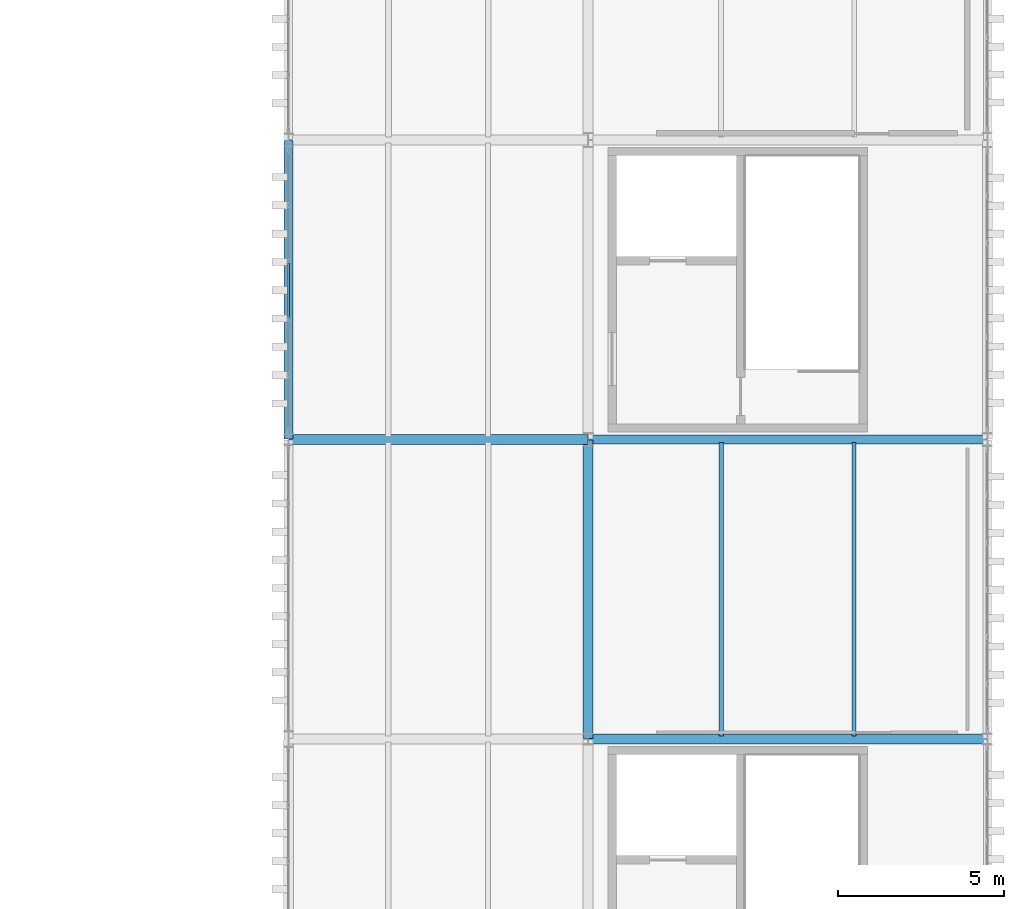
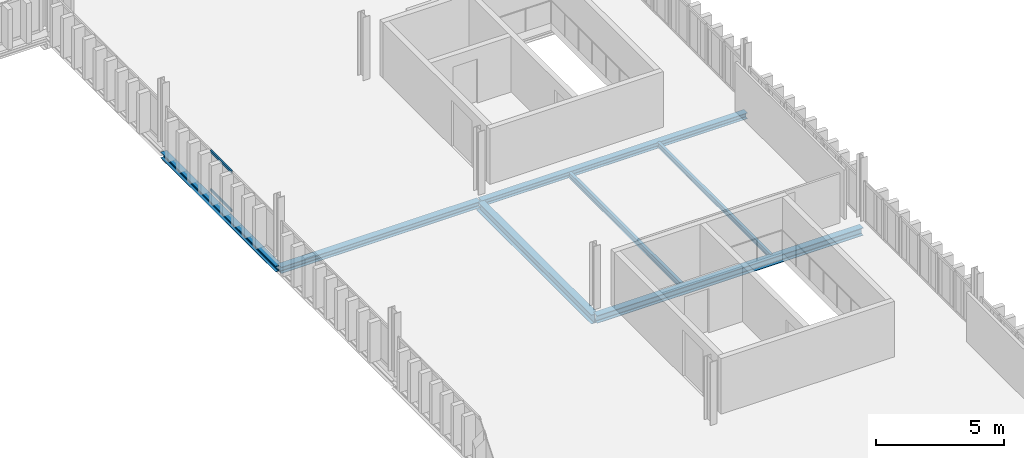
# One storey, part 32 of 58: 7 beams, 2 members, 1 element without a shape of its own.
"""IFC4 building model written with IfcOpenShell, lengths in metres."""

from ifc_helpers import new_model, si_unit, direction, frame, origin, origin_2d, place, context, subcontext, project, spatial, hollow_rectangle, i_section, extrude, material, layer, layer_set, material_profile, profile_set, type_object, element, aggregate, save


model = new_model("IFC4")

# Units and contexts
model_context = context("Model", 3, precision=1e-05, world=origin(), true_north=direction((0.0, 1.0)))
body_context = subcontext(model_context, "Body", "Model", "MODEL_VIEW")
ifc_project = project(units=[si_unit("LENGTHUNIT", "METRE"), si_unit("AREAUNIT", "SQUARE_METRE"), si_unit("VOLUMEUNIT", "CUBIC_METRE"), si_unit("PLANEANGLEUNIT", "RADIAN"), si_unit("MASSUNIT", "GRAM", prefix="KILO")], contexts=[model_context])

# Site, building, storey
site_placement = place(None, origin())
site = spatial("IfcSite", under=ifc_project, at=site_placement, CompositionType="ELEMENT")
building_placement = place(site_placement, origin())
building = spatial("IfcBuilding", under=site, at=building_placement, Name="Barlavento Convention Centre", CompositionType="ELEMENT")
storey_placement = place(building_placement, frame((0.0, 0.0, 26.800048828125)))
storey = spatial("IfcBuildingStorey", under=building, at=storey_placement, Name="L05", CompositionType="ELEMENT", Elevation=26.800048828125)

# Curtain wall, members
ifc_material_1 = material(Name="Powder-coated aluminium and Low-E glass", Category="aluminium")
ifc_layer = layer(ifc_material_1, 0.18994140625)
ifc_layer_set = layer_set([ifc_layer], Name="ARC-CW-CONF-L05")
curtain_wall_type = type_object("IfcCurtainWallType", Name="ARC-CW-CONF-L05", PredefinedType="NOTDEFINED", material=ifc_layer_set)
curtain_wall_placement = place(storey_placement, origin())
curtain_wall = element("IfcCurtainWall", 1, at=curtain_wall_placement, inside=storey, type_object=curtain_wall_type, Name="L05 unitised curtain wall CW10", PredefinedType="NOTDEFINED")
ifc_material_2 = material(Name="Powder-coated aluminium", Category="aluminium")
ifc_material_profile_1 = material_profile(ifc_material_2, hollow_rectangle(XDim=0.06005859375, YDim=0.1201171875, WallThickness=0.00390625, at=origin_2d()), Name="AL-TRAN 60x120x4")
ifc_profile_set_1 = profile_set([ifc_material_profile_1], Name="Powder-coated aluminium")
member_type = type_object("IfcMemberType", Name="ARC-CWT-60X120", PredefinedType="USERDEFINED", material=ifc_profile_set_1)
member_1_placement = place(storey_placement, frame((171.0, 75.6640625, 0.030029296875), z_axis=(0.0, 1.0, 0.0), x_axis=(-1.0, 0.0, 0.0)))
member_1 = element("IfcMember", 2, at=member_1_placement, type_object=member_type, Name="CW10 transom 3.1", ObjectType="TRANSOM", PredefinedType="USERDEFINED", context=body_context, shape_type="SweptSolid", body=[
    extrude(hollow_rectangle(XDim=0.06005859375, YDim=0.1201171875, WallThickness=0.00390625, at=origin_2d()), origin(), (0.0, 0.0, 1.0), 1.641845703125),
])
member_2_placement = place(storey_placement, frame((171.0, 75.6640625, 1.869873046875), z_axis=(0.0, 1.0, 0.0), x_axis=(-1.0, 0.0, 0.0)))
member_2 = element("IfcMember", 3, at=member_2_placement, type_object=member_type, Name="CW10 transom 3.2", ObjectType="TRANSOM", PredefinedType="USERDEFINED", context=body_context, shape_type="SweptSolid", body=[
    extrude(hollow_rectangle(XDim=0.06005859375, YDim=0.1201171875, WallThickness=0.00390625, at=origin_2d()), origin(), (0.0, 0.0, 1.0), 1.641845703125),
])
aggregate(curtain_wall, [member_1, member_2])

# Beams
ifc_material_3 = material(Name="Steel S355", Category="steel")
ifc_material_profile_2 = material_profile(ifc_material_3, i_section(OverallWidth=0.1201171875, OverallDepth=0.239990234375, WebThickness=0.006103515625, FlangeThickness=0.009765625, FilletRadius=0.014892578125, at=origin_2d()), Name="IPE 240")
ifc_profile_set_2 = profile_set([ifc_material_profile_2], Name="Steel S355")
beam_type_1 = type_object("IfcBeamType", Name="STR-BM-JST-IPE240", PredefinedType="JOIST", material=ifc_profile_set_2)
beam_1_placement = place(storey_placement, frame((188.0, 63.094970703125, -0.47998046875), z_axis=(0.0, 1.0, 0.0), x_axis=(-1.0, 0.0, 0.0)))
element("IfcBeam", 4, at=beam_1_placement, inside=storey, type_object=beam_type_1, Name="L05 composite floor joist SJ09", PredefinedType="JOIST", context=body_context, shape_type="SweptSolid", body=[
    extrude(i_section(OverallWidth=0.1201171875, OverallDepth=0.239990234375, WebThickness=0.006103515625, FlangeThickness=0.009765625, FilletRadius=0.014892578125, at=origin_2d()), origin(), (0.0, 0.0, 1.0), 8.81005859375),
])
ifc_material_profile_3 = material_profile(ifc_material_3, i_section(OverallWidth=0.135009765625, OverallDepth=0.27001953125, WebThickness=0.006591796875, FlangeThickness=0.01025390625, FilletRadius=0.014892578125, at=origin_2d()), Name="IPE 270")
ifc_profile_set_3 = profile_set([ifc_material_profile_3], Name="Steel S355")
beam_type_2 = type_object("IfcBeamType", Name="STR-BM-JST-IPE270", PredefinedType="JOIST", material=ifc_profile_set_3)
beam_2_placement = place(storey_placement, frame((184.0, 63.094970703125, -0.4951171875), z_axis=(0.0, 1.0, 0.0), x_axis=(-1.0, 0.0, 0.0)))
element("IfcBeam", 5, at=beam_2_placement, inside=storey, type_object=beam_type_2, Name="L05 composite floor joist SJ08", PredefinedType="JOIST", context=body_context, shape_type="SweptSolid", body=[
    extrude(i_section(OverallWidth=0.135009765625, OverallDepth=0.27001953125, WebThickness=0.006591796875, FlangeThickness=0.01025390625, FilletRadius=0.014892578125, at=origin_2d()), origin(), (0.0, 0.0, 1.0), 8.81005859375),
])
ifc_material_profile_4 = material_profile(ifc_material_3, i_section(OverallWidth=0.300048828125, OverallDepth=0.43994140625, WebThickness=0.011474609375, FlangeThickness=0.02099609375, FilletRadius=0.027099609375, at=origin_2d()), Name="HEA 450")
ifc_profile_set_4 = profile_set([ifc_material_profile_4], Name="Steel S355")
beam_type_3 = type_object("IfcBeamType", Name="STR-BM-PRI-HEA450", PredefinedType="BEAM", material=ifc_profile_set_4)
beam_3_placement = place(storey_placement, frame((180.0, 63.02001953125, -0.580078125), z_axis=(0.0, 1.0, 0.0), x_axis=(-1.0, 0.0, 0.0)))
element("IfcBeam", 6, at=beam_3_placement, inside=storey, type_object=beam_type_3, Name="L05 grid girder BG21", PredefinedType="BEAM", context=body_context, shape_type="SweptSolid", body=[
    extrude(i_section(OverallWidth=0.300048828125, OverallDepth=0.43994140625, WebThickness=0.011474609375, FlangeThickness=0.02099609375, FilletRadius=0.027099609375, at=origin_2d()), origin(), (0.0, 0.0, 1.0), 8.9599609375),
])
ifc_material_profile_5 = material_profile(ifc_material_3, i_section(OverallWidth=0.280029296875, OverallDepth=0.280029296875, WebThickness=0.010498046875, FlangeThickness=0.01806640625, FilletRadius=0.02392578125, at=origin_2d()), Name="HEB 280")
ifc_profile_set_5 = profile_set([ifc_material_profile_5], Name="Steel S355")
beam_type_4 = type_object("IfcBeamType", Name="STR-BM-PRI-HEB280", PredefinedType="BEAM", material=ifc_profile_set_5)
beam_4_placement = place(storey_placement, frame((180.02001953125, 72.0, -0.5), z_axis=(1.0, 0.0, 0.0), x_axis=(0.0, 1.0, 0.0)))
element("IfcBeam", 7, at=beam_4_placement, inside=storey, type_object=beam_type_4, Name="L05 primary girder BG15", PredefinedType="BEAM", context=body_context, shape_type="SweptSolid", body=[
    extrude(i_section(OverallWidth=0.280029296875, OverallDepth=0.280029296875, WebThickness=0.010498046875, FlangeThickness=0.01806640625, FilletRadius=0.02392578125, at=origin_2d()), origin(), (0.0, 0.0, 1.0), 11.9599609375),
])
ifc_material_profile_6 = material_profile(ifc_material_3, i_section(OverallWidth=0.300048828125, OverallDepth=0.300048828125, WebThickness=0.010986328125, FlangeThickness=0.01904296875, FilletRadius=0.027099609375, at=origin_2d()), Name="HEB 300")
ifc_profile_set_6 = profile_set([ifc_material_profile_6], Name="Steel S355")
beam_type_5 = type_object("IfcBeamType", Name="STR-BM-PRI-HEB300", PredefinedType="BEAM", material=ifc_profile_set_6)
beam_5_placement = place(storey_placement, frame((171.02001953125, 72.0, -0.510009765625), z_axis=(1.0, 0.0, 0.0), x_axis=(0.0, 1.0, 0.0)))
element("IfcBeam", 8, at=beam_5_placement, inside=storey, type_object=beam_type_5, Name="L05 primary girder BG14", PredefinedType="BEAM", context=body_context, shape_type="SweptSolid", body=[
    extrude(i_section(OverallWidth=0.300048828125, OverallDepth=0.300048828125, WebThickness=0.010986328125, FlangeThickness=0.01904296875, FilletRadius=0.027099609375, at=origin_2d()), origin(), (0.0, 0.0, 1.0), 8.9599609375),
])
ifc_material_profile_7 = material_profile(ifc_material_3, i_section(OverallWidth=0.300048828125, OverallDepth=0.360107421875, WebThickness=0.012451171875, FlangeThickness=0.0224609375, FilletRadius=0.027099609375, at=origin_2d()), Name="HEB 360")
ifc_profile_set_7 = profile_set([ifc_material_profile_7], Name="Steel S355")
beam_type_6 = type_object("IfcBeamType", Name="STR-BM-PRI-HEB360", PredefinedType="BEAM", material=ifc_profile_set_7)
beam_6_placement = place(storey_placement, frame((180.02001953125, 63.0, -0.5400390625), z_axis=(1.0, 0.0, 0.0), x_axis=(0.0, 1.0, 0.0)))
element("IfcBeam", 9, at=beam_6_placement, inside=storey, type_object=beam_type_6, Name="L05 primary girder BG12", PredefinedType="BEAM", context=body_context, shape_type="SweptSolid", body=[
    extrude(i_section(OverallWidth=0.300048828125, OverallDepth=0.360107421875, WebThickness=0.012451171875, FlangeThickness=0.0224609375, FilletRadius=0.027099609375, at=origin_2d()), origin(), (0.0, 0.0, 1.0), 11.9599609375),
])
ifc_material_profile_8 = material_profile(ifc_material_3, i_section(OverallWidth=0.280029296875, OverallDepth=0.27001953125, WebThickness=0.008056640625, FlangeThickness=0.012939453125, FilletRadius=0.02392578125, at=origin_2d()), Name="HEA 280")
ifc_profile_set_8 = profile_set([ifc_material_profile_8], Name="Steel S355")
beam_type_7 = type_object("IfcBeamType", Name="STR-BM-SPN-HEA280", PredefinedType="SPANDREL", material=ifc_profile_set_8)
beam_7_placement = place(storey_placement, frame((171.0, 72.02001953125, -0.4951171875), z_axis=(0.0, 1.0, 0.0), x_axis=(-1.0, 0.0, 0.0)))
element("IfcBeam", 10, at=beam_7_placement, inside=storey, type_object=beam_type_7, Name="L05 grid girder SP03", PredefinedType="SPANDREL", context=body_context, shape_type="SweptSolid", body=[
    extrude(i_section(OverallWidth=0.280029296875, OverallDepth=0.27001953125, WebThickness=0.008056640625, FlangeThickness=0.012939453125, FilletRadius=0.02392578125, at=origin_2d()), origin(), (0.0, 0.0, 1.0), 8.9599609375),
])

save(model, "model.ifc")
